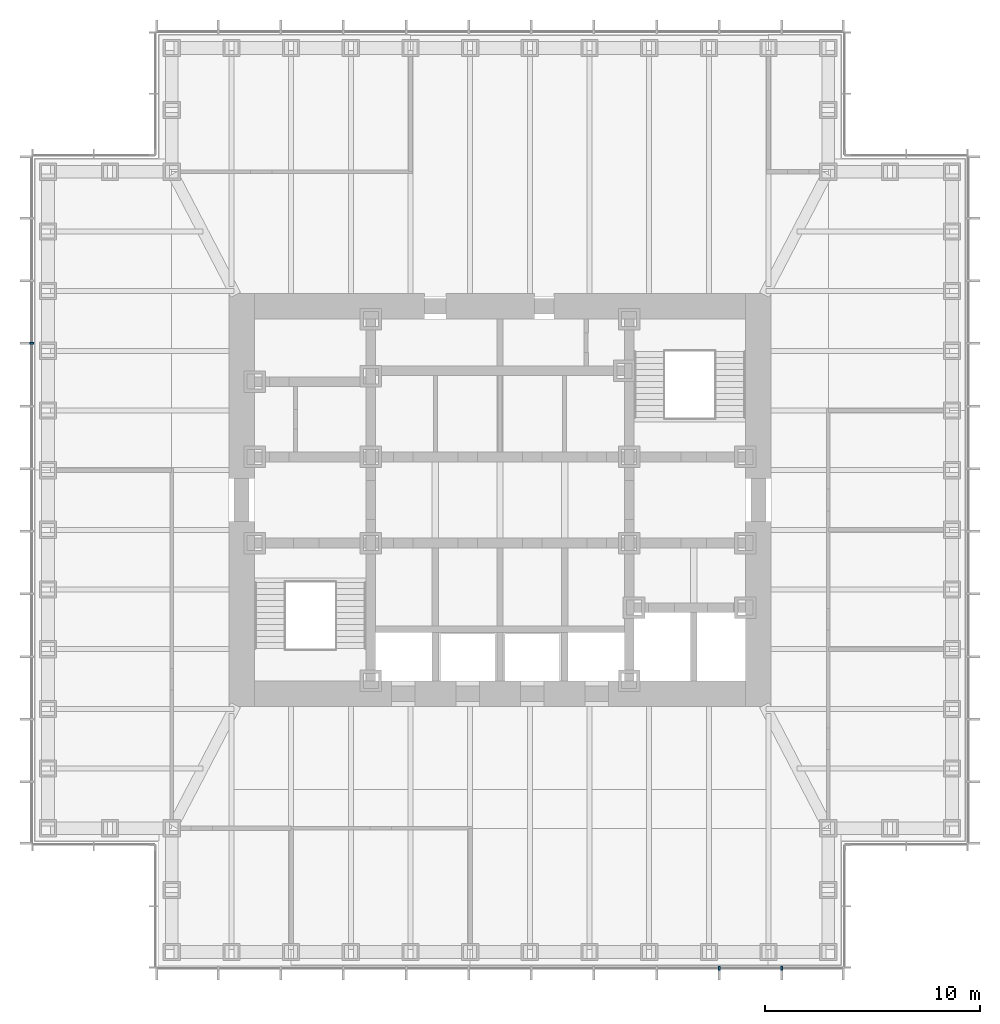
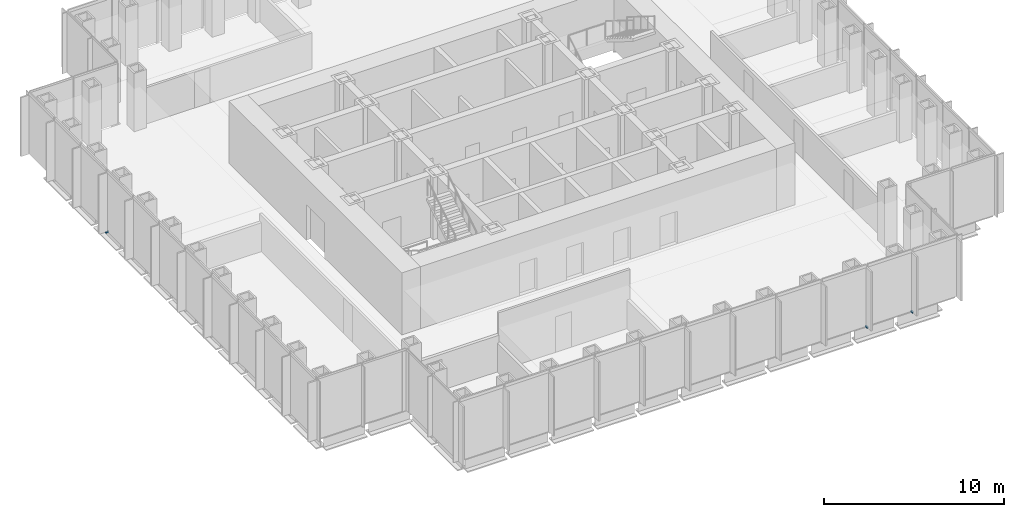
# One storey, part 12 of 16: 3 discrete accessories.
"""IFC4 building model written with IfcOpenShell, lengths in metres."""

from ifc_helpers import new_model, si_unit, direction, frame, origin, origin_2d, place, context, subcontext, project, spatial, rectangle, extrude, element, save


model = new_model("IFC4")

# Units and contexts
model_context = context("Model", 3, precision=1e-05, world=origin(), true_north=direction((0.0, 1.0)))
body_context = subcontext(model_context, "Body", "Model", "MODEL_VIEW")
ifc_project = project(units=[si_unit("LENGTHUNIT", "METRE"), si_unit("AREAUNIT", "SQUARE_METRE"), si_unit("VOLUMEUNIT", "CUBIC_METRE"), si_unit("PLANEANGLEUNIT", "RADIAN"), si_unit("MASSUNIT", "GRAM", prefix="KILO")], contexts=[model_context])

# Site, building, storey
site_placement = place(None, origin())
site = spatial("IfcSite", under=ifc_project, at=site_placement, CompositionType="ELEMENT")
building_placement = place(site_placement, origin())
building = spatial("IfcBuilding", under=site, at=building_placement, Name="Daluyong Arena Tower", CompositionType="ELEMENT")
storey_placement = place(building_placement, frame((0.0, 0.0, 275.5)))
storey = spatial("IfcBuildingStorey", under=building, at=storey_placement, Name="L62", CompositionType="ELEMENT", Elevation=275.5)

# Discrete accessories
for number, where, z_axis, x_axis, name in (
    (1, (66.181884765625, 58.25, -0.10009765625), (0.0, 0.0, 1.0), (1.0, 0.0, 0.0), "curtain wall L62 S anchor bracket 10"),
    (2, (69.0908203125, 58.25, -0.10009765625), (0.0, 0.0, 1.0), (1.0, 0.0, 0.0), "curtain wall L62 S anchor bracket 11"),
    (3, (34.25, 87.272705078125, -0.10009765625), (0.0, 0.0, 1.0), (0.0, -1.0, 0.0), "curtain wall L62 W anchor bracket 4"),
):
    element("IfcDiscreteAccessory", number, at=place(storey_placement, frame(where, z_axis=z_axis, x_axis=x_axis)), inside=storey, Name=name, PredefinedType="BRACKET", context=body_context, shape_type="SweptSolid", body=[
        extrude(rectangle(XDim=0.090087890625, YDim=0.199951171875, at=origin_2d()), origin(), (0.0, 0.0, 1.0), 0.10009765625),
    ])

save(model, "model.ifc")
